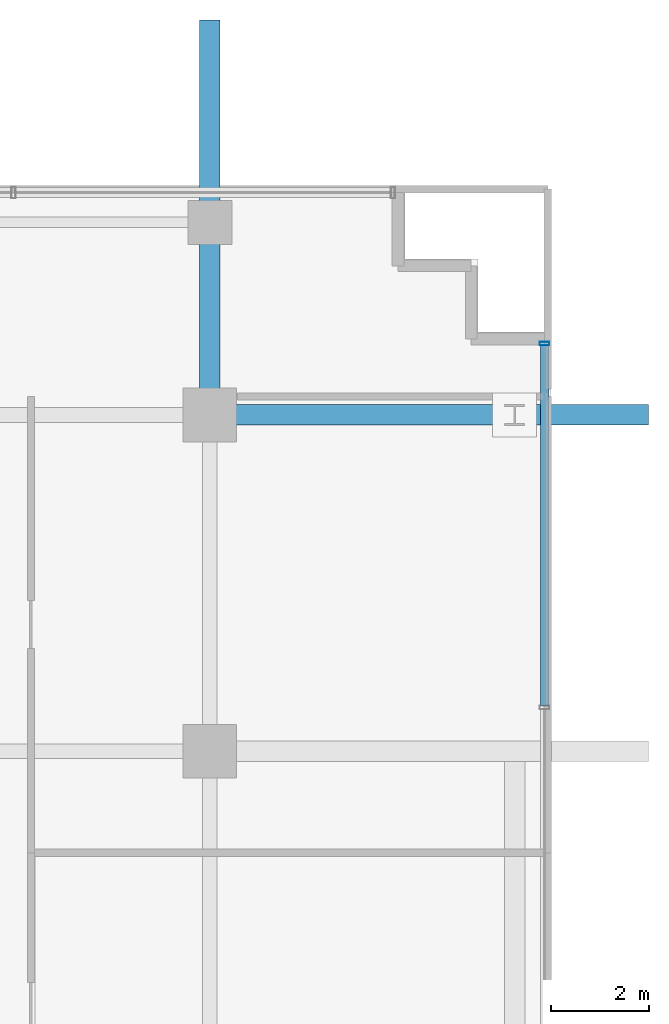
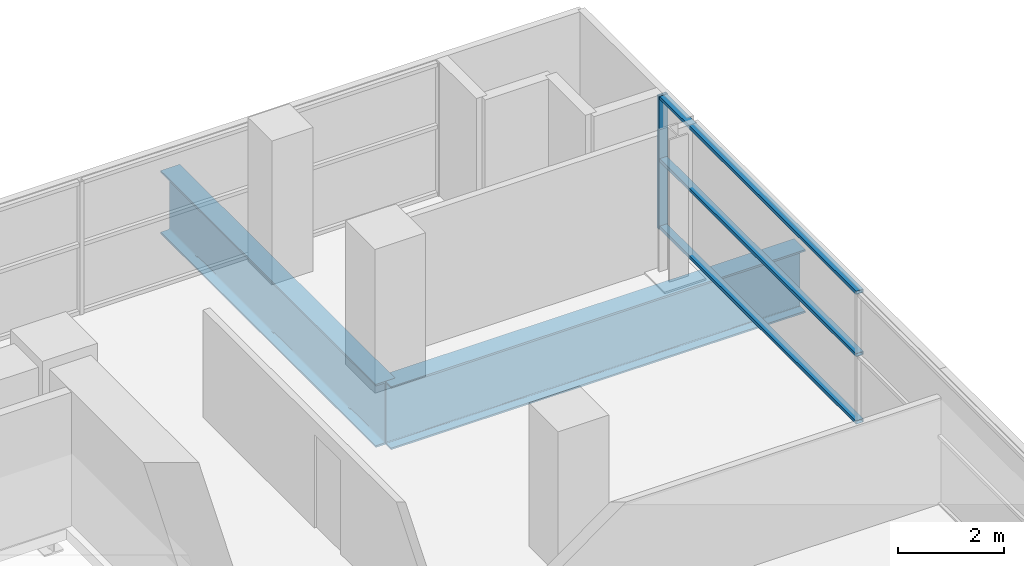
# One storey, part 21 of 32: 4 members, 2 beams, 1 element without a shape of its own.
"""IFC4 building model written with IfcOpenShell, lengths in metres."""

from ifc_helpers import new_model, si_unit, direction, frame, origin, origin_2d, place, context, subcontext, project, spatial, hollow_rectangle, i_section, extrude, source, transform, mapped, material, layer, layer_set, material_profile, profile_set, type_object, element, aggregate, save


model = new_model("IFC4")

# Units and contexts
model_context = context("Model", 3, precision=1e-05, world=origin(), true_north=direction((0.0, 1.0)))
body_context = subcontext(model_context, "Body", "Model", "MODEL_VIEW")
ifc_project = project(units=[si_unit("LENGTHUNIT", "METRE"), si_unit("AREAUNIT", "SQUARE_METRE"), si_unit("VOLUMEUNIT", "CUBIC_METRE"), si_unit("PLANEANGLEUNIT", "RADIAN"), si_unit("MASSUNIT", "GRAM", prefix="KILO")], contexts=[model_context])

# Site, building, storey
site_placement = place(None, origin())
site = spatial("IfcSite", under=ifc_project, at=site_placement, CompositionType="ELEMENT")
building_placement = place(site_placement, origin())
building = spatial("IfcBuilding", under=site, at=building_placement, Name="Zarnakvel Exchange Tower", CompositionType="ELEMENT")
storey_placement = place(building_placement, frame((0.0, 0.0, 27.39990234375)))
storey = spatial("IfcBuildingStorey", under=building, at=storey_placement, Name="L06", CompositionType="ELEMENT", Elevation=27.39990234375)

# Beams
ifc_material_1 = material(Name="Steel S460", Category="steel")
ifc_material_profile_1 = material_profile(ifc_material_1, i_section(OverallWidth=0.419921875, OverallDepth=1.449951171875, WebThickness=0.02392578125, FlangeThickness=0.0400390625, FilletRadius=0.030029296875, at=origin_2d()))
ifc_profile_set_1 = profile_set([ifc_material_profile_1], Name="Steel S460")
beam_type = type_object("IfcBeamType", Name="TG-01", PredefinedType="BEAM", material=ifc_profile_set_1)
beam_1_placement = place(storey_placement, frame((21.60009765625, 13.5, -0.974853515625), z_axis=(1.0, 0.0, 0.0), x_axis=(0.0, 1.0, 0.0)))
element("IfcBeam", 1, at=beam_1_placement, inside=storey, type_object=beam_type, Name="L06 Wing Transfer Girder East", PredefinedType="BEAM", context=body_context, shape_type="SweptSolid", body=[
    extrude(i_section(OverallWidth=0.419921875, OverallDepth=1.449951171875, WebThickness=0.02392578125, FlangeThickness=0.0400390625, FilletRadius=0.030029296875, at=origin_2d()), origin(), (0.0, 0.0, 1.0), 9.0),
])
beam_2_placement = place(storey_placement, frame((21.60009765625, 13.5, -0.974853515625), z_axis=(0.0, 1.0, 0.0), x_axis=(-1.0, 0.0, 0.0)))
element("IfcBeam", 2, at=beam_2_placement, inside=storey, type_object=beam_type, Name="L06 Setback N-S Transfer Girder TN-10", PredefinedType="BEAM", context=body_context, shape_type="SweptSolid", body=[
    extrude(i_section(OverallWidth=0.419921875, OverallDepth=1.449951171875, WebThickness=0.02392578125, FlangeThickness=0.0400390625, FilletRadius=0.030029296875, at=origin_2d()), origin(), (0.0, 0.0, 1.0), 8.10009765625),
])

# Curtain wall, members
ifc_material_2 = material(Name="Architectural Bronze Anodised Aluminium", Category="aluminium")
ifc_layer = layer(ifc_material_2, 0.199951171875)
ifc_layer_set = layer_set([ifc_layer], Name="Architectural Bronze Anodised Aluminium")
curtain_wall_type = type_object("IfcCurtainWallType", Name="CW-04", PredefinedType="NOTDEFINED", material=ifc_layer_set)
curtain_wall_placement = place(storey_placement, origin())
curtain_wall = element("IfcCurtainWall", 3, at=curtain_wall_placement, inside=storey, type_object=curtain_wall_type, Name="L06 Curtain Wall CW-L06-E1 (CW-04)", PredefinedType="NOTDEFINED")
ifc_material_profile_2 = material_profile(ifc_material_2, hollow_rectangle(XDim=0.199951171875, YDim=0.074951171875, WallThickness=0.0048828125, at=origin_2d()))
ifc_profile_set_2 = profile_set([ifc_material_profile_2], Name="Architectural Bronze Anodised Aluminium")
member_type_1 = type_object("IfcMemberType", Name="CWM-04", PredefinedType="MULLION", material=ifc_profile_set_2)
shared_shape_1 = source(origin(), body_context, "Body", "SweptSolid", [
    extrude(hollow_rectangle(XDim=0.199951171875, YDim=0.074951171875, WallThickness=0.0048828125, at=origin_2d()), origin(), (0.0, 0.0, 1.0), 3.05517578125),
])
member_1_placement = place(storey_placement, frame((28.4599609375, 14.96240234375, 0.0), z_axis=(0.0, 0.0, 1.0), x_axis=(-1.0, 0.0, 0.0)))
member_1 = element("IfcMember", 4, at=member_1_placement, type_object=member_type_1, Name="CW-04 mullion 5", PredefinedType="MULLION", context=body_context, shape_type="MappedRepresentation", body=[
    mapped(shared_shape_1, transform((0.0, 0.0, 0.0), x_axis=(1.0, 0.0, 0.0), y_axis=(0.0, 1.0, 0.0), z_axis=(0.0, 0.0, 1.0), scale=1.0)),
])
ifc_material_profile_3 = material_profile(ifc_material_2, hollow_rectangle(XDim=0.159912109375, YDim=0.074951171875, WallThickness=0.00390625, at=origin_2d()))
ifc_profile_set_3 = profile_set([ifc_material_profile_3], Name="Architectural Bronze Anodised Aluminium")
member_type_2 = type_object("IfcMemberType", Name="CWT-04", PredefinedType="USERDEFINED", material=ifc_profile_set_3)
shared_shape_2 = source(origin(), body_context, "Body", "SweptSolid", [
    extrude(hollow_rectangle(XDim=0.159912109375, YDim=0.074951171875, WallThickness=0.00390625, at=origin_2d()), origin(), (0.0, 0.0, 1.0), 7.387451171875),
])
member_2_placement = place(storey_placement, frame((28.4599609375, 7.53759765625, 0.03759765625), z_axis=(0.0, 1.0, 0.0), x_axis=(-1.0, 0.0, 0.0)))
member_2 = element("IfcMember", 5, at=member_2_placement, type_object=member_type_2, Name="CW-04 transom 4.1", ObjectType="TRANSOM", PredefinedType="USERDEFINED", context=body_context, shape_type="MappedRepresentation", body=[
    mapped(shared_shape_2, transform((0.0, 0.0, 0.0), x_axis=(1.0, 0.0, 0.0), y_axis=(0.0, 1.0, 0.0), z_axis=(0.0, 0.0, 1.0), scale=1.0)),
])
member_3_placement = place(storey_placement, frame((28.4599609375, 7.53759765625, 1.588623046875), z_axis=(0.0, 1.0, 0.0), x_axis=(-1.0, 0.0, 0.0)))
member_3 = element("IfcMember", 6, at=member_3_placement, type_object=member_type_2, Name="CW-04 transom 4.2", ObjectType="TRANSOM", PredefinedType="USERDEFINED", context=body_context, shape_type="MappedRepresentation", body=[
    mapped(shared_shape_2, transform((0.0, 0.0, 0.0), x_axis=(1.0, 0.0, 0.0), y_axis=(0.0, 1.0, 0.0), z_axis=(0.0, 0.0, 1.0), scale=1.0)),
])
member_4_placement = place(storey_placement, frame((28.4599609375, 7.53759765625, 3.017578125), z_axis=(0.0, 1.0, 0.0), x_axis=(-1.0, 0.0, 0.0)))
member_4 = element("IfcMember", 7, at=member_4_placement, type_object=member_type_2, Name="CW-04 transom 4.3", ObjectType="TRANSOM", PredefinedType="USERDEFINED", context=body_context, shape_type="MappedRepresentation", body=[
    mapped(shared_shape_2, transform((0.0, 0.0, 0.0), x_axis=(1.0, 0.0, 0.0), y_axis=(0.0, 1.0, 0.0), z_axis=(0.0, 0.0, 1.0), scale=1.0)),
])
aggregate(curtain_wall, [member_1, member_2, member_3, member_4])

save(model, "model.ifc")
